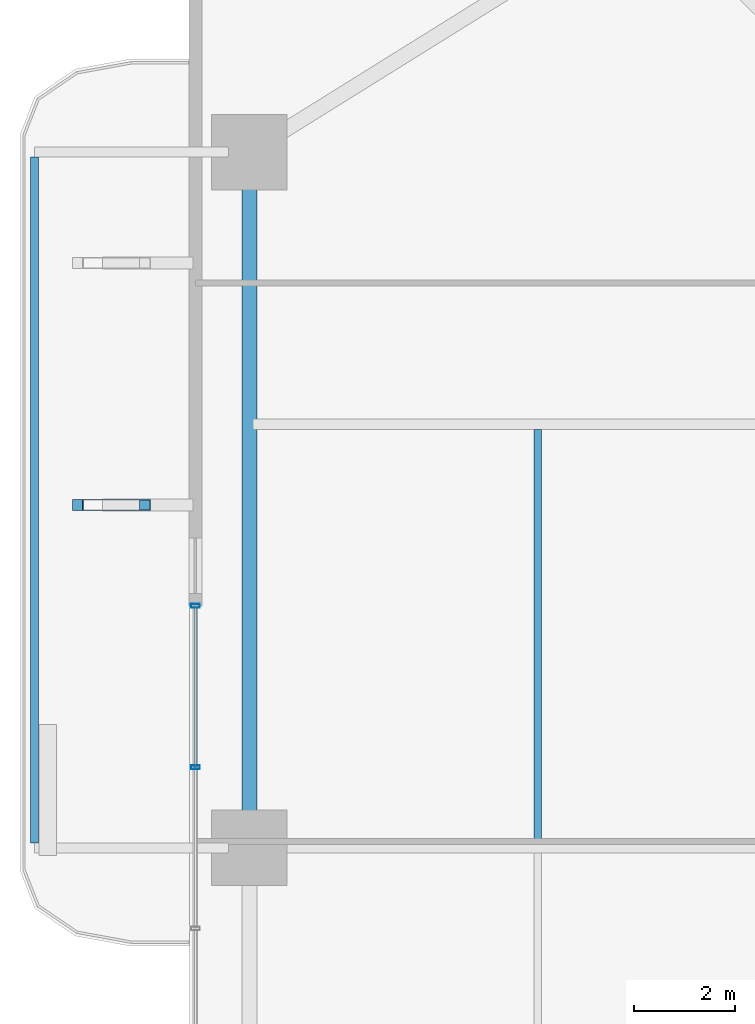
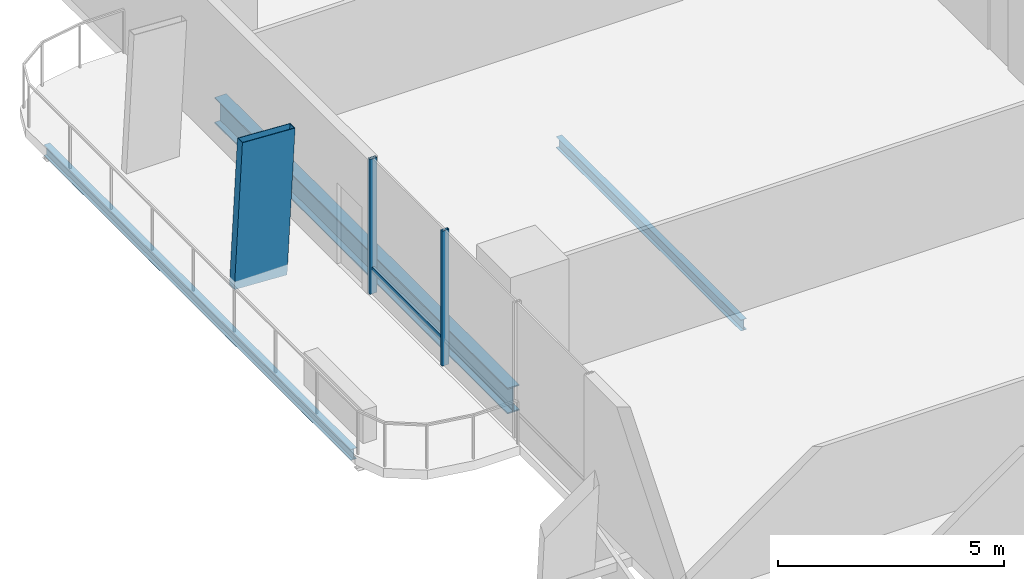
# One storey, part 9 of 23: 4 members, 3 beams, 1 element without a shape of its own.
"""IFC4 building model written with IfcOpenShell, lengths in metres."""

from ifc_helpers import new_model, si_unit, direction, frame, origin, origin_2d, place, context, subcontext, project, spatial, hollow_rectangle, i_section, extrude, material, layer, layer_set, material_profile, profile_set, type_object, element, aggregate, save


model = new_model("IFC4")

# Units and contexts
model_context = context("Model", 3, precision=1e-05, world=origin(), true_north=direction((0.0, 1.0)))
body_context = subcontext(model_context, "Body", "Model", "MODEL_VIEW")
ifc_project = project(units=[si_unit("LENGTHUNIT", "METRE"), si_unit("AREAUNIT", "SQUARE_METRE"), si_unit("VOLUMEUNIT", "CUBIC_METRE"), si_unit("PLANEANGLEUNIT", "RADIAN"), si_unit("MASSUNIT", "GRAM", prefix="KILO")], contexts=[model_context])

# Site, building, storey
site_placement = place(None, origin())
site = spatial("IfcSite", under=ifc_project, at=site_placement, CompositionType="ELEMENT")
building_placement = place(site_placement, origin())
building = spatial("IfcBuilding", under=site, at=building_placement, Name="Belovzor Exchange Tower", CompositionType="ELEMENT")
storey_placement = place(building_placement, frame((0.0, 0.0, 65.10009765625)))
storey = spatial("IfcBuildingStorey", under=building, at=storey_placement, Name="L15", CompositionType="ELEMENT", Elevation=65.10009765625)

# Member
ifc_material_1 = material(Name="Extruded Architectural Terracotta on Steel S355 Carrier", Category="masonry")
ifc_material_profile_1 = material_profile(ifc_material_1, hollow_rectangle(XDim=0.219970703125, YDim=1.35009765625, WallThickness=0.013916015625, at=origin_2d()))
ifc_profile_set_1 = profile_set([ifc_material_profile_1], Name="Extruded Architectural Terracotta on Steel S355 Carrier")
member_type_1 = type_object("IfcMemberType", Name="Base Arc Sweeping Terracotta Pylon Fin 1450", PredefinedType="USERDEFINED", material=ifc_profile_set_1)
member_1_placement = place(storey_placement, frame((-0.739013671875, 35.60009765625, -0.25), z_axis=(0.053011620344, 0.0, 0.998593895489), x_axis=(0.0, 1.0, 0.0)))
element("IfcMember", 1, at=member_1_placement, inside=storey, type_object=member_type_1, Name="FIN-TC145 Terracotta Facade Fin L15 W3", ObjectType="FIN", PredefinedType="USERDEFINED", context=body_context, shape_type="SweptSolid", body=[
    extrude(hollow_rectangle(XDim=0.219970703125, YDim=1.35009765625, WallThickness=0.013916015625, at=origin_2d()), origin(), (0.0, 0.0, 1.0), 3.9052734375),
])

# Beams
ifc_material_2 = material(Name="Steel S355", Category="steel")
ifc_material_profile_2 = material_profile(ifc_material_2, i_section(OverallWidth=0.14990234375, OverallDepth=0.300048828125, WebThickness=0.007080078125, FlangeThickness=0.0107421875, at=origin_2d()))
ifc_profile_set_2 = profile_set([ifc_material_profile_2], Name="Steel S355")
beam_type_1 = type_object("IfcBeamType", Name="Planted Balcony Fascia Edge Beam IPE 300", PredefinedType="BEAM", material=ifc_profile_set_2)
beam_1_placement = place(storey_placement, frame((-2.162109375, 42.5, -0.400146484375), z_axis=(0.0, -1.0, 0.0), x_axis=(1.0, 0.0, 0.0)))
element("IfcBeam", 2, at=beam_1_placement, inside=storey, type_object=beam_type_1, Name="BC-300 Planted Balcony Fascia Edge Beam IPE 300", PredefinedType="BEAM", context=body_context, shape_type="SweptSolid", body=[
    extrude(i_section(OverallWidth=0.14990234375, OverallDepth=0.300048828125, WebThickness=0.007080078125, FlangeThickness=0.0107421875, at=origin_2d()), origin(), (0.0, 0.0, 1.0), 13.60009765625),
])
ifc_material_3 = material(Name="Steel S355", Category="steel")
ifc_material_profile_3 = material_profile(ifc_material_3, i_section(OverallWidth=0.14990234375, OverallDepth=0.300048828125, WebThickness=0.007080078125, FlangeThickness=0.0107421875, at=origin_2d()))
ifc_profile_set_3 = profile_set([ifc_material_profile_3], Name="Steel S355")
beam_type_2 = type_object("IfcBeamType", Name="Secondary Trim Floor Joist IPE 300", PredefinedType="BEAM", material=ifc_profile_set_3)
beam_2_placement = place(storey_placement, frame((7.81494140625, 28.905029296875, -0.400146484375), z_axis=(0.0, 1.0, 0.0), x_axis=(-1.0, 0.0, 0.0)))
element("IfcBeam", 3, at=beam_2_placement, inside=storey, type_object=beam_type_2, Name="FJ-300 Secondary Trim Floor Joist IPE 300", PredefinedType="BEAM", context=body_context, shape_type="SweptSolid", body=[
    extrude(i_section(OverallWidth=0.14990234375, OverallDepth=0.300048828125, WebThickness=0.007080078125, FlangeThickness=0.0107421875, at=origin_2d()), origin(), (0.0, 0.0, 1.0), 8.18994140625),
])

# Curtain wall, members
ifc_material_4 = material(Name="Anodised Aluminium Framing", Category="aluminium")
ifc_layer = layer(ifc_material_4, 0.179931640625)
ifc_layer_set = layer_set([ifc_layer], Name="Anodised Aluminium Framing")
curtain_wall_type = type_object("IfcCurtainWallType", Name="Recessed Loggia Low-Iron Triple-Glazed Curtain Wall", PredefinedType="NOTDEFINED", material=ifc_layer_set)
curtain_wall_placement = place(storey_placement, origin())
curtain_wall = element("IfcCurtainWall", 4, at=curtain_wall_placement, inside=storey, type_object=curtain_wall_type, Name="CW3 Recessed Loggia Low-Iron Triple-Glazed Curtain Wall L15", PredefinedType="NOTDEFINED")
ifc_material_5 = material(Name="Steel S355", Category="steel")
ifc_material_profile_4 = material_profile(ifc_material_5, hollow_rectangle(XDim=0.074951171875, YDim=0.179931640625, WallThickness=0.0048828125, at=origin_2d()))
ifc_profile_set_4 = profile_set([ifc_material_profile_4], Name="Steel S355")
member_type_2 = type_object("IfcMemberType", Name="Thermally Broken Curtain Wall Mullion 180x75", PredefinedType="MULLION", material=ifc_profile_set_4)
member_2_placement = place(storey_placement, frame((1.030029296875, 30.39990234375, 0.0), z_axis=(0.0, 0.0, 1.0), x_axis=(0.0, 1.0, 0.0)))
member_2 = element("IfcMember", 5, at=member_2_placement, type_object=member_type_2, Name="CW-M180 Curtain Wall Mullion 3", PredefinedType="MULLION", context=body_context, shape_type="SweptSolid", body=[
    extrude(hollow_rectangle(XDim=0.074951171875, YDim=0.179931640625, WallThickness=0.0048828125, at=origin_2d()), origin(), (0.0, 0.0, 1.0), 3.64990234375),
])
member_3_placement = place(storey_placement, frame((1.030029296875, 33.60009765625, 0.0), z_axis=(0.0, 0.0, 1.0), x_axis=(0.0, 1.0, 0.0)))
member_3 = element("IfcMember", 6, at=member_3_placement, type_object=member_type_2, Name="CW-M180 Curtain Wall Mullion 4", PredefinedType="MULLION", context=body_context, shape_type="SweptSolid", body=[
    extrude(hollow_rectangle(XDim=0.074951171875, YDim=0.179931640625, WallThickness=0.0048828125, at=origin_2d()), origin(), (0.0, 0.0, 1.0), 3.64990234375),
])
ifc_material_6 = material(Name="Steel S355", Category="steel")
ifc_material_profile_5 = material_profile(ifc_material_6, hollow_rectangle(XDim=0.06005859375, YDim=0.14990234375, WallThickness=0.00390625, at=origin_2d()))
ifc_profile_set_5 = profile_set([ifc_material_profile_5], Name="Steel S355")
member_type_3 = type_object("IfcMemberType", Name="Thermally Broken Curtain Wall Transom 150x60", PredefinedType="USERDEFINED", material=ifc_profile_set_5)
member_4_placement = place(storey_placement, frame((1.030029296875, 30.407958984375, 0.64990234375), z_axis=(0.0, 1.0, 0.0), x_axis=(-1.0, 0.0, 0.0)))
member_4 = element("IfcMember", 7, at=member_4_placement, type_object=member_type_3, Name="CW-T150 Curtain Wall Transom 3", ObjectType="TRANSOM", PredefinedType="USERDEFINED", context=body_context, shape_type="SweptSolid", body=[
    extrude(hollow_rectangle(XDim=0.06005859375, YDim=0.14990234375, WallThickness=0.00390625, at=origin_2d()), origin(), (0.0, 0.0, 1.0), 3.18408203125),
])
aggregate(curtain_wall, [member_2, member_3, member_4])

# Beam
ifc_material_7 = material(Name="Steel S355", Category="steel")
ifc_material_profile_6 = material_profile(ifc_material_7, i_section(OverallWidth=0.300048828125, OverallDepth=0.699951171875, WebThickness=0.01708984375, FlangeThickness=0.031982421875, at=origin_2d()))
ifc_profile_set_6 = profile_set([ifc_material_profile_6], Name="Steel S355")
beam_type_3 = type_object("IfcBeamType", Name="Zone 1 Primary Perimeter Girder HEB 700", PredefinedType="BEAM", material=ifc_profile_set_6)
beam_3_placement = place(storey_placement, frame((2.10009765625, 42.18798828125, -0.60009765625), z_axis=(0.0, -1.0, 0.0), x_axis=(1.0, 0.0, 0.0)))
element("IfcBeam", 8, at=beam_3_placement, inside=storey, type_object=beam_type_3, Name="FG-Z1 Zone 1 Primary Perimeter Girder HEB 700", PredefinedType="BEAM", context=body_context, shape_type="SweptSolid", body=[
    extrude(i_section(OverallWidth=0.300048828125, OverallDepth=0.699951171875, WebThickness=0.01708984375, FlangeThickness=0.031982421875, at=origin_2d()), origin(), (0.0, 0.0, 1.0), 12.97509765625),
])

save(model, "model.ifc")
